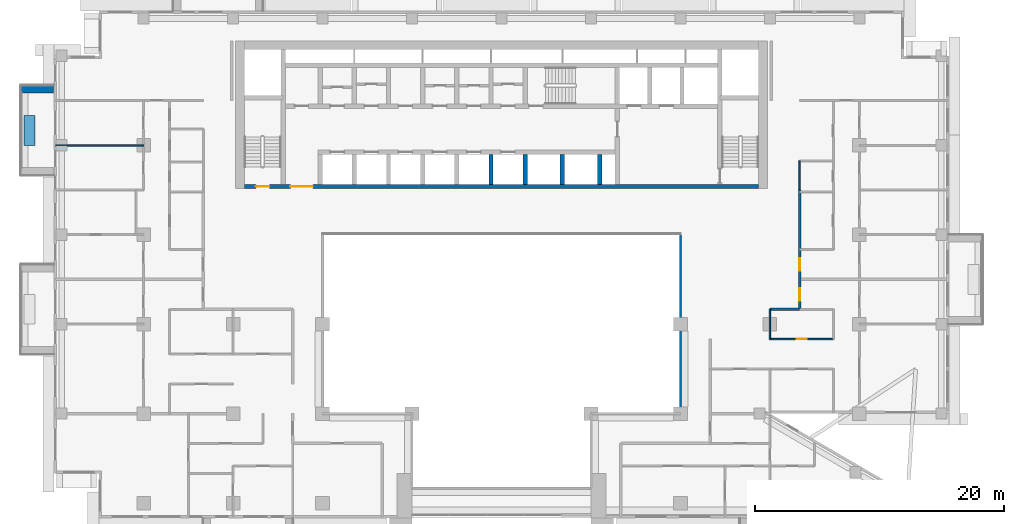
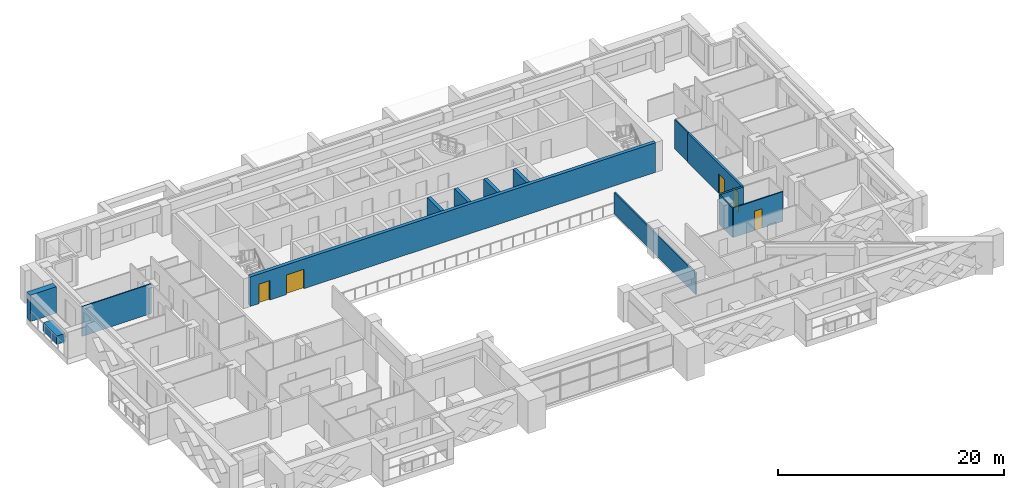
# One storey, part 9 of 20: 14 walls, 5 doors, 5 openings.
"""IFC4 building model written with IfcOpenShell, lengths in metres."""

import ifcopenshell
import ifcopenshell.guid

model = None  # the IFC model being written
_history = None  # IfcOwnerHistory: only IFC2X3 demands one
_inside = {}  # id of a spatial element -> (the spatial element, [elements in it])
_under = {}  # id of a project, library or spatial element -> (it, [spatial elements below it])
_declared = {}  # id of a project -> (the project, [libraries it declares])
_typed = {}  # id of a type object -> (the type object, [elements of that type])
_made_of = {}  # id of a material, layer set ... -> (it, [elements and type objects made of it])


def new_model(schema):
    """Start an empty IFC model of exactly this schema.

    Asked for "IFC4X3", IfcOpenShell would pick the latest addendum, in which some entities
    have other attributes; the version numbers below select the first issue.
    IFC2X3 requires an IfcOwnerHistory on every rooted entity: one is made here for all.
    """
    global model, _history
    if schema == "IFC4X3":
        model = ifcopenshell.file(schema_version=(4, 3, 0, 0))
    else:
        model = ifcopenshell.file(schema=schema)
    _inside.clear()
    _under.clear()
    _declared.clear()
    _typed.clear()
    _made_of.clear()
    _history = None
    if model.schema == "IFC2X3":
        org = make("IfcOrganization", Name="unknown")
        user = make(
            "IfcPersonAndOrganization",
            ThePerson=make("IfcPerson", FamilyName="unknown"),
            TheOrganization=org,
        )
        app = make(
            "IfcApplication",
            ApplicationDeveloper=org,
            Version="unknown",
            ApplicationFullName="unknown",
            ApplicationIdentifier="unknown",
        )
        _history = make(
            "IfcOwnerHistory",
            OwningUser=user,
            OwningApplication=app,
            ChangeAction="ADDED",
            CreationDate=0,
        )
    return model


def make(cls, **values):
    """One entity of the class cls with the attributes given. An attribute that is None is left unset."""
    return model.create_entity(
        cls, **{name: value for name, value in values.items() if value is not None}
    )


def rooted(cls, **values):
    """An entity with a GlobalId (a new one), such as an element, a storey or a relation."""
    return make(cls, GlobalId=ifcopenshell.guid.new(), OwnerHistory=_history, **values)


def si_unit(unit_type, name, prefix=None):
    """IfcSIUnit, for example si_unit("LENGTHUNIT", "METRE", prefix="MILLI")."""
    return make("IfcSIUnit", UnitType=unit_type, Prefix=prefix, Name=name)


def assignment(units):
    """IfcUnitAssignment: the units of a project."""
    return None if units is None else make("IfcUnitAssignment", Units=units)


def point(xyz):
    """IfcCartesianPoint."""
    return None if xyz is None else make("IfcCartesianPoint", Coordinates=xyz)


def direction(xyz):
    """IfcDirection."""
    return None if xyz is None else make("IfcDirection", DirectionRatios=xyz)


def frame(location, z_axis=None, x_axis=None):
    """IfcAxis2Placement3D, a coordinate frame: its origin and axes. An axis left out is left unset."""
    return make(
        "IfcAxis2Placement3D",
        Location=point(location),
        Axis=direction(z_axis),
        RefDirection=direction(x_axis),
    )


def frame_2d(location, x_axis=None):
    """IfcAxis2Placement2D, a coordinate frame in the plane: its origin and x axis."""
    return make(
        "IfcAxis2Placement2D", Location=point(location), RefDirection=direction(x_axis)
    )


def origin():
    """The frame at (0, 0, 0) with its axes left unset."""
    return frame((0.0, 0.0, 0.0))


def place(relative_to, where):
    """IfcLocalPlacement: puts the frame where relative to a parent placement (None: the world)."""
    return make(
        "IfcLocalPlacement", PlacementRelTo=relative_to, RelativePlacement=where
    )


def context(
    kind, dimensions, precision=None, world=None, true_north=None, identifier=None
):
    """IfcGeometricRepresentationContext, for example the 3D "Model" context."""
    return make(
        "IfcGeometricRepresentationContext",
        ContextIdentifier=identifier,
        ContextType=kind,
        CoordinateSpaceDimension=dimensions,
        Precision=precision,
        WorldCoordinateSystem=world,
        TrueNorth=true_north,
    )


def subcontext(parent, identifier, kind, view, scale=None):
    """IfcGeometricRepresentationSubContext, for example "Body" below "Model"."""
    return make(
        "IfcGeometricRepresentationSubContext",
        ContextIdentifier=identifier,
        ContextType=kind,
        ParentContext=parent,
        TargetScale=scale,
        TargetView=view,
    )


def project(units=None, contexts=None):
    """IfcProject with its units and contexts."""
    return rooted(
        "IfcProject",
        Name="project",
        RepresentationContexts=contexts,
        UnitsInContext=assignment(units),
    )


def spatial(cls, under=None, at=None, **own):
    """A site, building, storey or space (cls), placed at a placement, below another one or the project."""
    s = rooted(cls, ObjectPlacement=at, **own)
    if under is not None:
        _under.setdefault(under.id(), (under, []))[1].append(s)
    return s


def profile(cls, at=None, kind="AREA", **sizes):
    """A parametric profile (cls). Its sizes go by their IFC names, for example OverallWidth=200.0."""
    return make(cls, ProfileType=kind, Position=at, **sizes)


def rectangle(**sizes):
    """IfcRectangleProfileDef."""
    return profile("IfcRectangleProfileDef", **sizes)


def extrude(swept, where, along, depth):
    """IfcExtrudedAreaSolid: the profile swept, set in the frame where, extruded along a direction by depth."""
    return make(
        "IfcExtrudedAreaSolid",
        SweptArea=swept,
        Position=where,
        ExtrudedDirection=direction(along),
        Depth=depth,
    )


def shape(context_of_items, identifier, shape_type, items):
    """IfcShapeRepresentation: the items that make up one representation, for example the "Body"."""
    return make(
        "IfcShapeRepresentation",
        ContextOfItems=context_of_items,
        RepresentationIdentifier=identifier,
        RepresentationType=shape_type,
        Items=items,
    )


def material(Name=None, Category=None):
    """IfcMaterial."""
    return make("IfcMaterial", Name=Name, Category=Category)


def layer(
    of_material, thickness, ventilated=None, Name=None, Category=None, Priority=None
):
    """IfcMaterialLayer: one layer of a wall or slab, of a material (None: an air gap)."""
    return make(
        "IfcMaterialLayer",
        Material=of_material,
        LayerThickness=thickness,
        IsVentilated=ventilated,
        Name=Name,
        Category=Category,
        Priority=Priority,
    )


def layer_set(layers, Name=None):
    """IfcMaterialLayerSet."""
    return make("IfcMaterialLayerSet", MaterialLayers=layers, LayerSetName=Name)


def made_of(thing, what):
    """Note that an element or type object is made of a material, layer set ...; save() writes the relation."""
    if what is not None:
        _made_of.setdefault(what.id(), (what, []))[1].append(thing)
    return thing


def type_object(cls, material=None, **own):
    """A type object (cls), such as IfcWallType, which elements share."""
    return made_of(rooted(cls, **own), material)


def element(
    cls,
    number,
    at=None,
    inside=None,
    cuts=None,
    type_object=None,
    material=None,
    context=None,
    identifier="Body",
    shape_type=None,
    held_by="IfcProductDefinitionShape",
    body=None,
    shapes=None,
    **own,
):
    """One element of the class cls, such as IfcWall. Its Tag is "e" and its number.

    at: its placement. inside: the storey or other place that contains it. cuts: it is an
    opening in that element (IfcRelVoidsElement). A single representation is given by context,
    identifier, shape_type and body (its items); several are given by shapes. held_by: the class
    of the entity that holds the representations. save() writes the other relations.
    """
    e = rooted(cls, Tag="e%d" % number, ObjectPlacement=at, **own)
    if body is not None:
        shapes = [shape(context, identifier, shape_type, body)]
    if shapes is not None:
        e.Representation = make(held_by, Representations=shapes)
    if inside is not None:
        _inside.setdefault(inside.id(), (inside, []))[1].append(e)
    if cuts is not None:
        rooted(
            "IfcRelVoidsElement", RelatingBuildingElement=cuts, RelatedOpeningElement=e
        )
    if type_object is not None:
        _typed.setdefault(type_object.id(), (type_object, []))[1].append(e)
    return made_of(e, material)


def fill(opening, filler):
    """IfcRelFillsElement: the door or window that sits in an opening."""
    return rooted(
        "IfcRelFillsElement",
        RelatingOpeningElement=opening,
        RelatedBuildingElement=filler,
    )


def aggregate(whole, parts):
    """IfcRelAggregates: a whole, such as a stair, and the parts it consists of."""
    return rooted("IfcRelAggregates", RelatingObject=whole, RelatedObjects=parts)


def save(model, path):
    """Write the relations noted so far, then the file.

    IfcRelAggregates (storeys below a building ...), IfcRelContainedInSpatialStructure (elements
    in a storey), IfcRelDefinesByType, IfcRelAssociatesMaterial and IfcRelDeclares: one each for
    every whole, place, type object, material and project.
    """
    for whole, parts in _under.values():
        aggregate(whole, parts)
    for where, things in _inside.values():
        rooted(
            "IfcRelContainedInSpatialStructure",
            RelatedElements=things,
            RelatingStructure=where,
        )
    for kind, things in _typed.values():
        rooted("IfcRelDefinesByType", RelatedObjects=things, RelatingType=kind)
    for what, things in _made_of.values():
        rooted("IfcRelAssociatesMaterial", RelatedObjects=things, RelatingMaterial=what)
    for by, libraries in _declared.values():
        rooted("IfcRelDeclares", RelatingContext=by, RelatedDefinitions=libraries)
    model.write(path)


model = new_model("IFC4")

# Units and contexts
model_context = context("Model", 3, precision=1e-05, world=origin(), true_north=direction((0.0, 1.0)))
body_context = subcontext(model_context, "Body", "Model", "MODEL_VIEW")
ifc_project = project(units=[si_unit("LENGTHUNIT", "METRE"), si_unit("AREAUNIT", "SQUARE_METRE"), si_unit("VOLUMEUNIT", "CUBIC_METRE"), si_unit("PLANEANGLEUNIT", "RADIAN"), si_unit("MASSUNIT", "GRAM", prefix="KILO")], contexts=[model_context])

# Site, building, storey
site_placement = place(None, origin())
site = spatial("IfcSite", under=ifc_project, at=site_placement, CompositionType="ELEMENT")
building_placement = place(site_placement, origin())
building = spatial("IfcBuilding", under=site, at=building_placement, Name="Saffron Iwan Residences", CompositionType="ELEMENT")
storey_placement = place(building_placement, frame((0.0, 0.0, 123.5)))
storey = spatial("IfcBuildingStorey", under=building, at=storey_placement, Name="L32", CompositionType="ELEMENT", Elevation=123.5)

# Walls
ifc_material_1 = material(Name="Fire-rated glazing", Category="glass")
ifc_layer_1 = layer(ifc_material_1, 0.14990234375)
ifc_layer_set_1 = layer_set([ifc_layer_1], Name="Fire-rated glazing")
wall_type_1 = type_object("IfcWallType", Name="Atrium glazed screen 150", PredefinedType="SOLIDWALL", material=ifc_layer_set_1)
wall_1_placement = place(storey_placement, frame((64.800048828125, 48.0, 0.0), z_axis=(0.0, 0.0, 1.0), x_axis=(0.0, 1.0, 0.0)))
element("IfcWall", 1, at=wall_1_placement, inside=storey, type_object=wall_type_1, Name="W-L32-SCREEN-v64.8-48", PredefinedType="SOLIDWALL", context=body_context, shape_type="SweptSolid", body=[
    extrude(rectangle(XDim=14.39990234375, YDim=0.14990234375, at=frame_2d((7.199951171875, 0.0))), origin(), (0.0, 0.0, 1.0), 2.300048828125),
])
ifc_material_2 = material(Name="Concrete C50/60 white painted", Category="concrete")
ifc_layer_2 = layer(ifc_material_2, 0.60009765625)
ifc_layer_set_2 = layer_set([ifc_layer_2], Name="Concrete C50/60 white painted")
wall_type_2 = type_object("IfcWallType", Name="BALCONY FIN 600", PredefinedType="SOLIDWALL", material=ifc_layer_set_2)
wall_2_placement = place(storey_placement, frame((14.35009765625, 74.10009765625, 0.0), z_axis=(0.0, 0.0, 1.0), x_axis=(-1.0, 0.0, 0.0)))
element("IfcWall", 2, at=wall_2_placement, inside=storey, type_object=wall_type_2, Name="Balcony fin L32 F8-0a", PredefinedType="SOLIDWALL", context=body_context, shape_type="SweptSolid", body=[
    extrude(rectangle(XDim=2.650146484375, YDim=0.60009765625, at=frame_2d((1.3251953125, 0.0))), origin(), (0.0, 0.0, 1.0), 2.85009765625),
])
ifc_material_3 = material(Name="Concrete C35/45 white painted", Category="concrete")
ifc_layer_3 = layer(ifc_material_3, 0.14990234375)
ifc_layer_set_3 = layer_set([ifc_layer_3], Name="Concrete C35/45 white painted")
wall_type_3 = type_object("IfcWallType", Name="BALCONY PLANTER", PredefinedType="SOLIDWALL", material=ifc_layer_set_3)
wall_3_placement = place(storey_placement, frame((12.425048828125, 72.0, 0.0), z_axis=(0.0, 0.0, 1.0), x_axis=(0.0, -1.0, 0.0)))
element("IfcWall", 3, at=wall_3_placement, inside=storey, type_object=wall_type_3, Name="PLANTER L32 F8-0", PredefinedType="SOLIDWALL", context=body_context, shape_type="SweptSolid", body=[
    extrude(rectangle(XDim=2.39990234375, YDim=0.89990234375, at=frame_2d((1.199951171875, 0.0))), origin(), (0.0, 0.0, 1.0), 0.89990234375),
])

# Wall, opening, door
ifc_material_4 = material(Name="Gypsum board partition")
ifc_layer_4 = layer(ifc_material_4, 0.1201171875)
ifc_layer_set_4 = layer_set([ifc_layer_4], Name="Gypsum board partition")
wall_type_4 = type_object("IfcWallType", Name="Flat partition 120", PredefinedType="PARTITIONING", material=ifc_layer_set_4)
wall_4_placement = place(storey_placement, frame((72.0, 54.0, 0.0), z_axis=(0.0, 0.0, 1.0), x_axis=(1.0, 0.0, 0.0)))
wall_4 = element("IfcWall", 4, at=wall_4_placement, inside=storey, type_object=wall_type_4, Name="W-L32-PART-h54-72", PredefinedType="PARTITIONING", context=body_context, shape_type="SweptSolid", body=[
    extrude(rectangle(XDim=5.10009765625, YDim=0.1201171875, at=frame_2d((2.550048828125, 0.0))), origin(), (0.0, 0.0, 1.0), 3.199951171875),
])
opening_1_placement = place(wall_4_placement, frame((2.14990234375, 0.0, 0.0)))
opening_1 = element("IfcOpeningElement", 5, at=opening_1_placement, cuts=wall_4, Name="Opening FD3", PredefinedType="OPENING", context=body_context, shape_type="SweptSolid", body=[
    extrude(rectangle(XDim=0.800048828125, YDim=2.10009765625, at=frame_2d((0.39990234375, 1.050048828125))), frame((0.0, 0.070068359375, 0.0), z_axis=(0.0, -1.0, 0.0), x_axis=(1.0, 0.0, 0.0)), (0.0, 0.0, 1.0), 0.14013671875),
])
ifc_material_5 = material(Name="Timber door", Category="wood")
door_type_1 = type_object("IfcDoorType", Name="Bathroom door 800", OperationType="NOTDEFINED", PredefinedType="DOOR", material=ifc_material_5)
door_1_placement = place(opening_1_placement, origin())
door_1 = element("IfcDoor", 6, at=door_1_placement, inside=storey, type_object=door_type_1, Name="Door L32-017", OperationType="SINGLE_SWING_RIGHT", OverallHeight=2.10009765625, OverallWidth=0.800048828125, PredefinedType="DOOR", context=body_context, shape_type="SweptSolid", body=[
    extrude(rectangle(XDim=0.800048828125, YDim=2.10009765625, at=frame_2d((0.39990234375, 1.050048828125))), frame((0.0, 0.02490234375, 0.0), z_axis=(0.0, -1.0, 0.0), x_axis=(1.0, 0.0, 0.0)), (0.0, 0.0, 1.0), 0.050048828125),
])
fill(opening_1, door_1)

# Walls
wall_5_placement = place(storey_placement, frame((14.52490234375, 69.60009765625, 0.0), z_axis=(0.0, 0.0, 1.0), x_axis=(1.0, 0.0, 0.0)))
element("IfcWall", 7, at=wall_5_placement, inside=storey, type_object=wall_type_4, Name="W-L32-PART-h69.6-14.525", PredefinedType="PARTITIONING", context=body_context, shape_type="SweptSolid", body=[
    extrude(rectangle(XDim=7.0751953125, YDim=0.1201171875, at=frame_2d((3.53759765625, 0.0))), origin(), (0.0, 0.0, 1.0), 3.199951171875),
])
wall_6_placement = place(storey_placement, frame((72.0, 54.0, 0.0), z_axis=(0.0, 0.0, 1.0), x_axis=(0.0, 1.0, 0.0)))
element("IfcWall", 8, at=wall_6_placement, inside=storey, type_object=wall_type_4, Name="W-L32-PART-v72-54", PredefinedType="PARTITIONING", context=body_context, shape_type="SweptSolid", body=[
    extrude(rectangle(XDim=2.39990234375, YDim=0.1201171875, at=frame_2d((1.199951171875, 0.0))), origin(), (0.0, 0.0, 1.0), 3.199951171875),
])
wall_7_placement = place(storey_placement, frame((74.39990234375, 66.02001953125, 0.0), z_axis=(0.0, 0.0, 1.0), x_axis=(0.0, 1.0, 0.0)))
element("IfcWall", 9, at=wall_7_placement, inside=storey, type_object=wall_type_4, Name="W-L32-PART-v74.4-66.02", PredefinedType="PARTITIONING", context=body_context, shape_type="SweptSolid", body=[
    extrude(rectangle(XDim=2.330078125, YDim=0.1201171875, at=frame_2d((1.1650390625, 0.0))), origin(), (0.0, 0.0, 1.0), 3.199951171875),
])
ifc_material_6 = material(Name="Fire-rated gypsum board wall")
ifc_layer_5 = layer(ifc_material_6, 0.199951171875)
ifc_layer_set_5 = layer_set([ifc_layer_5], Name="Fire-rated gypsum board wall")
wall_type_5 = type_object("IfcWallType", Name="Gallery wall 200", PredefinedType="SOLIDWALL", material=ifc_layer_set_5)
wall_8_placement = place(storey_placement, frame((72.0, 56.39990234375, 0.0), z_axis=(0.0, 0.0, 1.0), x_axis=(1.0, 0.0, 0.0)))
element("IfcWall", 10, at=wall_8_placement, inside=storey, type_object=wall_type_5, Name="W-L32-CORR-h56.4-72", PredefinedType="SOLIDWALL", context=body_context, shape_type="SweptSolid", body=[
    extrude(rectangle(XDim=2.39990234375, YDim=0.199951171875, at=frame_2d((1.199951171875, 0.0))), origin(), (0.0, 0.0, 1.0), 3.199951171875),
])

# Wall, openings, doors
wall_9_placement = place(storey_placement, frame((74.39990234375, 56.39990234375, 0.0), z_axis=(0.0, 0.0, 1.0), x_axis=(0.0, 1.0, 0.0)))
wall_9 = element("IfcWall", 11, at=wall_9_placement, inside=storey, type_object=wall_type_5, Name="W-L32-CORR-v74.4-56.4", PredefinedType="SOLIDWALL", context=body_context, shape_type="SweptSolid", body=[
    extrude(rectangle(XDim=9.60009765625, YDim=0.199951171875, at=frame_2d((4.800048828125, 0.0))), origin(), (0.0, 0.0, 1.0), 3.199951171875),
])
opening_2_placement = place(wall_9_placement, frame((0.699951171875, 0.0, 0.0)))
opening_2 = element("IfcOpeningElement", 12, at=opening_2_placement, cuts=wall_9, Name="Opening FD1", PredefinedType="OPENING", context=body_context, shape_type="SweptSolid", body=[
    extrude(rectangle(XDim=1.0, YDim=2.10009765625, at=frame_2d((0.5, 1.050048828125))), frame((0.0, 0.10986328125, 0.0), z_axis=(0.0, -1.0, 0.0), x_axis=(1.0, 0.0, 0.0)), (0.0, 0.0, 1.0), 0.219970703125),
])
opening_3_placement = place(wall_9_placement, frame((3.10009765625, 0.0, 0.0)))
opening_3 = element("IfcOpeningElement", 13, at=opening_3_placement, cuts=wall_9, Name="Opening FD1", PredefinedType="OPENING", context=body_context, shape_type="SweptSolid", body=[
    extrude(rectangle(XDim=1.0, YDim=2.10009765625, at=frame_2d((0.5, 1.050048828125))), frame((0.0, 0.10986328125, 0.0), z_axis=(0.0, -1.0, 0.0), x_axis=(1.0, 0.0, 0.0)), (0.0, 0.0, 1.0), 0.219970703125),
])
ifc_material_7 = material(Name="Fire-rated timber door", Category="wood")
door_type_2 = type_object("IfcDoorType", Name="FD30S flat entrance door 1000", OperationType="NOTDEFINED", PredefinedType="DOOR", material=ifc_material_7)
door_2_placement = place(opening_2_placement, origin())
door_2 = element("IfcDoor", 14, at=door_2_placement, inside=storey, type_object=door_type_2, Name="Door L32-013", OperationType="SINGLE_SWING_LEFT", OverallHeight=2.10009765625, OverallWidth=1.0, PredefinedType="DOOR", context=body_context, shape_type="SweptSolid", body=[
    extrude(rectangle(XDim=1.0, YDim=2.10009765625, at=frame_2d((0.5, 1.050048828125))), frame((0.0, 0.02490234375, 0.0), z_axis=(0.0, -1.0, 0.0), x_axis=(1.0, 0.0, 0.0)), (0.0, 0.0, 1.0), 0.050048828125),
])
fill(opening_2, door_2)
door_3_placement = place(opening_3_placement, origin())
door_3 = element("IfcDoor", 15, at=door_3_placement, inside=storey, type_object=door_type_2, Name="Door L32-029", OperationType="SINGLE_SWING_RIGHT", OverallHeight=2.10009765625, OverallWidth=1.0, PredefinedType="DOOR", context=body_context, shape_type="SweptSolid", body=[
    extrude(rectangle(XDim=1.0, YDim=2.10009765625, at=frame_2d((0.5, 1.050048828125))), frame((0.0, 0.02490234375, 0.0), z_axis=(0.0, -1.0, 0.0), x_axis=(1.0, 0.0, 0.0)), (0.0, 0.0, 1.0), 0.050048828125),
])
fill(opening_3, door_3)

ifc_material_8 = material(Name="Concrete C50/60", Category="concrete")
ifc_layer_6 = layer(ifc_material_8, 0.35009765625)
ifc_layer_set_6 = layer_set([ifc_layer_6], Name="Concrete C50/60")
wall_type_6 = type_object("IfcWallType", Name="WALL CORE 350 C50/60 3200 HIGH", PredefinedType="SHEAR", material=ifc_layer_set_6)
wall_10_placement = place(storey_placement, frame((29.699951171875, 66.27490234375, 0.0), z_axis=(0.0, 0.0, 1.0), x_axis=(1.0, 0.0, 0.0)))
wall_10 = element("IfcWall", 16, at=wall_10_placement, inside=storey, type_object=wall_type_6, Name="Core wall", PredefinedType="SHEAR", context=body_context, shape_type="SweptSolid", body=[
    extrude(rectangle(XDim=41.400146484375, YDim=0.35009765625, at=frame_2d((20.7001953125, 0.0))), origin(), (0.0, 0.0, 1.0), 3.199951171875),
])
opening_4_placement = place(wall_10_placement, frame((0.925048828125, 0.0, 0.0)))
opening_4 = element("IfcOpeningElement", 17, at=opening_4_placement, cuts=wall_10, Name="Opening SD", PredefinedType="OPENING", context=body_context, shape_type="SweptSolid", body=[
    extrude(rectangle(XDim=1.10009765625, YDim=2.10009765625, at=frame_2d((0.550048828125, 1.050048828125))), frame((0.0, 0.18505859375, 0.0), z_axis=(0.0, -1.0, 0.0), x_axis=(1.0, 0.0, 0.0)), (0.0, 0.0, 1.0), 0.3701171875),
])
opening_5_placement = place(wall_10_placement, frame((3.71240234375, 0.0, 0.0)))
opening_5 = element("IfcOpeningElement", 18, at=opening_5_placement, cuts=wall_10, Name="Opening DD", PredefinedType="OPENING", context=body_context, shape_type="SweptSolid", body=[
    extrude(rectangle(XDim=1.800048828125, YDim=2.10009765625, at=frame_2d((0.89990234375, 1.050048828125))), frame((0.0, 0.18505859375, 0.0), z_axis=(0.0, -1.0, 0.0), x_axis=(1.0, 0.0, 0.0)), (0.0, 0.0, 1.0), 0.3701171875),
])
ifc_material_9 = material(Name="Steel fire door", Category="steel")
door_type_3 = type_object("IfcDoorType", Name="Lobby double door 1800", OperationType="DOUBLE_DOOR_SINGLE_SWING", PredefinedType="DOOR", material=ifc_material_9)
door_4_placement = place(opening_5_placement, origin())
door_4 = element("IfcDoor", 19, at=door_4_placement, inside=storey, type_object=door_type_3, Name="Lobby doors", OperationType="DOUBLE_DOOR_SINGLE_SWING", OverallHeight=2.10009765625, OverallWidth=1.800048828125, PredefinedType="DOOR", context=body_context, shape_type="SweptSolid", body=[
    extrude(rectangle(XDim=1.800048828125, YDim=2.10009765625, at=frame_2d((0.89990234375, 1.050048828125))), frame((0.0, 0.02490234375, 0.0), z_axis=(0.0, -1.0, 0.0), x_axis=(1.0, 0.0, 0.0)), (0.0, 0.0, 1.0), 0.050048828125),
])
fill(opening_5, door_4)
door_type_4 = type_object("IfcDoorType", Name="Stair door 1100", OperationType="NOTDEFINED", PredefinedType="DOOR", material=ifc_material_9)
door_5_placement = place(opening_4_placement, origin())
door_5 = element("IfcDoor", 20, at=door_5_placement, inside=storey, type_object=door_type_4, Name="Stair door ST-W", OperationType="SINGLE_SWING_LEFT", OverallHeight=2.10009765625, OverallWidth=1.10009765625, PredefinedType="DOOR", context=body_context, shape_type="SweptSolid", body=[
    extrude(rectangle(XDim=1.10009765625, YDim=2.10009765625, at=frame_2d((0.550048828125, 1.050048828125))), frame((0.0, 0.02490234375, 0.0), z_axis=(0.0, -1.0, 0.0), x_axis=(1.0, 0.0, 0.0)), (0.0, 0.0, 1.0), 0.050048828125),
])
fill(opening_4, door_5)

# Walls
for number, where, z_axis, x_axis, name in (
    (21, (49.550048828125, 66.449951171875, 0.0), (0.0, 0.0, 1.0), (0.0, 1.0, 0.0), "Core wall"),
    (22, (52.300048828125, 66.449951171875, 0.0), (0.0, 0.0, 1.0), (0.0, 1.0, 0.0), "Core wall"),
    (23, (55.300048828125, 66.449951171875, 0.0), (0.0, 0.0, 1.0), (0.0, 1.0, 0.0), "Core wall"),
    (24, (58.300048828125, 66.449951171875, 0.0), (0.0, 0.0, 1.0), (0.0, 1.0, 0.0), "Core wall"),
):
    element("IfcWall", number, at=place(storey_placement, frame(where, z_axis=z_axis, x_axis=x_axis)), inside=storey, type_object=wall_type_6, Name=name, PredefinedType="SHEAR", context=body_context, shape_type="SweptSolid", body=[
        extrude(rectangle(XDim=2.425048828125, YDim=0.35009765625, at=frame_2d((1.21240234375, 0.0))), origin(), (0.0, 0.0, 1.0), 3.199951171875),
    ])

save(model, "model.ifc")
